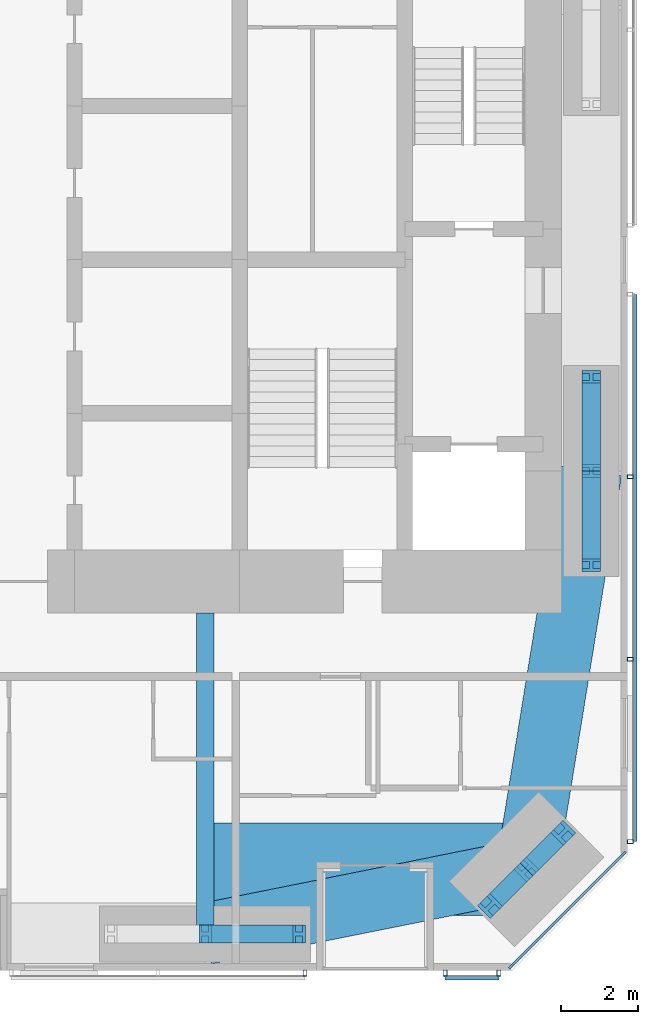
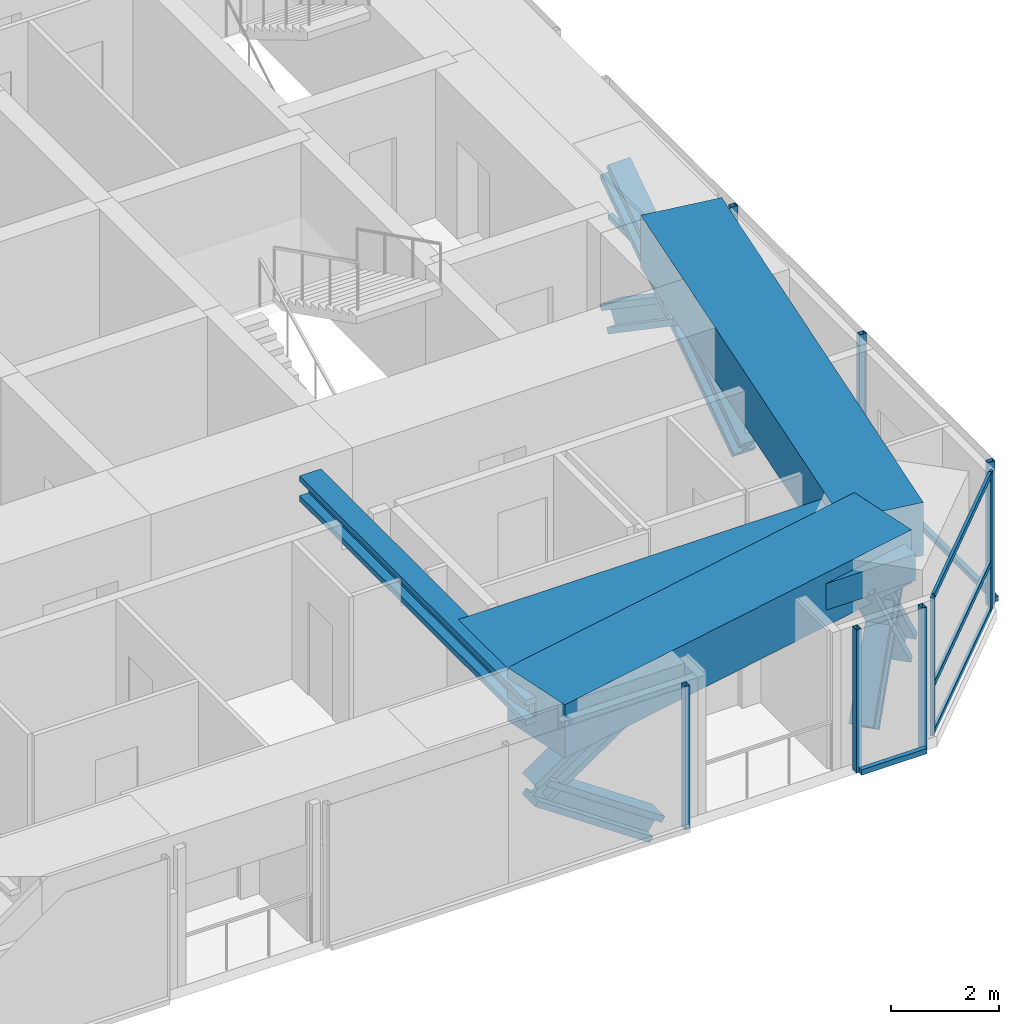
# One storey, part 9 of 24: 23 members, 4 beams, 4 elements without a shape of their own.
"""IFC4 building model written with IfcOpenShell, lengths in metres."""

from ifc_helpers import new_model, si_unit, direction, frame, origin, origin_2d, place, context, subcontext, project, spatial, rectangle, hollow_rectangle, i_section, extrude, material, material_profile, profile_set, type_object, element, aggregate, save


model = new_model("IFC4")

# Units and contexts
model_context = context("Model", 3, precision=1e-05, world=origin(), true_north=direction((0.0, 1.0)))
body_context = subcontext(model_context, "Body", "Model", "MODEL_VIEW")
ifc_project = project(units=[si_unit("LENGTHUNIT", "METRE"), si_unit("AREAUNIT", "SQUARE_METRE"), si_unit("VOLUMEUNIT", "CUBIC_METRE"), si_unit("PLANEANGLEUNIT", "RADIAN"), si_unit("MASSUNIT", "GRAM", prefix="KILO")], contexts=[model_context])

# Site, building, storey
site_placement = place(None, origin())
site = spatial("IfcSite", under=ifc_project, at=site_placement, CompositionType="ELEMENT")
building_placement = place(site_placement, origin())
building = spatial("IfcBuilding", under=site, at=building_placement, Name="Jalousie Tower", CompositionType="ELEMENT")
storey_placement = place(building_placement, frame((0.0, 0.0, 61.199951171875)))
storey = spatial("IfcBuildingStorey", under=building, at=storey_placement, Name="L16", CompositionType="ELEMENT", Elevation=61.199951171875)

# Curtain wall, members
ifc_material_1 = material(Name="Aluminium curtain wall", Category="aluminium")
curtain_wall_type_1 = type_object("IfcCurtainWallType", Name="CORNER WINDOW WALL", PredefinedType="USERDEFINED", material=ifc_material_1)
curtain_wall_1_placement = place(storey_placement, origin())
curtain_wall_1 = element("IfcCurtainWall", 1, at=curtain_wall_1_placement, inside=storey, type_object=curtain_wall_type_1, Name="Corner Window Wall L16 2", ObjectType="CORNER WINDOW WALL", PredefinedType="USERDEFINED")
ifc_material_2 = material(Name="Aluminium mullion", Category="aluminium")
ifc_material_profile_1 = material_profile(ifc_material_2, rectangle(XDim=0.06005859375, YDim=0.14990234375, at=origin_2d()), Name="MULLION 60x150")
ifc_profile_set_1 = profile_set([ifc_material_profile_1], Name="Aluminium mullion")
member_type_1 = type_object("IfcMemberType", Name="CORNER WINDOW WALL MULLION", PredefinedType="MULLION", material=ifc_profile_set_1)
member_1_placement = place(storey_placement, frame((42.969970703125, 0.108642578125, 0.0), z_axis=(0.0, 0.0, 1.0), x_axis=(-0.707106781187, 0.707106781187, 0.0)))
member_1 = element("IfcMember", 2, at=member_1_placement, type_object=member_type_1, Name="CW-C mullion 1", PredefinedType="MULLION", context=body_context, shape_type="SweptSolid", body=[
    extrude(rectangle(XDim=0.06005859375, YDim=0.14990234375, at=origin_2d()), origin(), (0.0, 0.0, 1.0), 3.110107421875),
])
member_2_placement = place(storey_placement, frame((45.891357421875, 3.030029296875, 0.0), z_axis=(0.0, 0.0, 1.0), x_axis=(-0.707106781187, 0.707106781187, 0.0)))
member_2 = element("IfcMember", 3, at=member_2_placement, type_object=member_type_1, Name="CW-C mullion 2", PredefinedType="MULLION", context=body_context, shape_type="SweptSolid", body=[
    extrude(rectangle(XDim=0.06005859375, YDim=0.14990234375, at=origin_2d()), origin(), (0.0, 0.0, 1.0), 3.110107421875),
])
ifc_material_3 = material(Name="Aluminium transom", Category="aluminium")
ifc_material_profile_2 = material_profile(ifc_material_3, rectangle(XDim=0.06005859375, YDim=0.1201171875, at=origin_2d()), Name="TRANSOM 60x120")
ifc_profile_set_2 = profile_set([ifc_material_profile_2], Name="Aluminium transom")
member_type_2 = type_object("IfcMemberType", Name="CORNER WINDOW WALL TRANSOM", PredefinedType="USERDEFINED", material=ifc_profile_set_2)
member_3_placement = place(storey_placement, frame((42.9912109375, 0.1298828125, 0.030029296875), z_axis=(0.707106781187, 0.707106781187, 0.0), x_axis=(-0.707106781187, 0.707106781187, 0.0)))
member_3 = element("IfcMember", 4, at=member_3_placement, type_object=member_type_2, Name="CW-C transom 1.1", ObjectType="TRANSOM", PredefinedType="USERDEFINED", context=body_context, shape_type="SweptSolid", body=[
    extrude(rectangle(XDim=0.06005859375, YDim=0.1201171875, at=origin_2d()), origin(), (0.0, 0.0, 1.0), 4.0712890625),
])
member_4_placement = place(storey_placement, frame((42.9912109375, 0.1298828125, 1.10009765625), z_axis=(0.707106781187, 0.707106781187, 0.0), x_axis=(-0.707106781187, 0.707106781187, 0.0)))
member_4 = element("IfcMember", 5, at=member_4_placement, type_object=member_type_2, Name="CW-C transom 1.2", ObjectType="TRANSOM", PredefinedType="USERDEFINED", context=body_context, shape_type="SweptSolid", body=[
    extrude(rectangle(XDim=0.06005859375, YDim=0.1201171875, at=origin_2d()), origin(), (0.0, 0.0, 1.0), 4.0712890625),
])
member_5_placement = place(storey_placement, frame((42.9912109375, 0.1298828125, 3.080078125), z_axis=(0.707106781187, 0.707106781187, 0.0), x_axis=(-0.707106781187, 0.707106781187, 0.0)))
member_5 = element("IfcMember", 6, at=member_5_placement, type_object=member_type_2, Name="CW-C transom 1.3", ObjectType="TRANSOM", PredefinedType="USERDEFINED", context=body_context, shape_type="SweptSolid", body=[
    extrude(rectangle(XDim=0.06005859375, YDim=0.1201171875, at=origin_2d()), origin(), (0.0, 0.0, 1.0), 4.0712890625),
])
aggregate(curtain_wall_1, [member_1, member_2, member_3, member_4, member_5])

# Beam
ifc_material_4 = material(Name="Steel ASTM A992 Grade 50", Category="steel")
ifc_material_profile_3 = material_profile(ifc_material_4, i_section(OverallWidth=0.45458984375, OverallDepth=0.569091796875, WebThickness=0.077880859375, FlangeThickness=0.124755859375, at=origin_2d()), Name="W14X730")
ifc_profile_set_3 = profile_set([ifc_material_profile_3], Name="Steel ASTM A992 Grade 50")
beam_type_1 = type_object("IfcBeamType", Name="LEAN COLLECTOR W14X730", PredefinedType="BEAM", material=ifc_profile_set_3)
beam_1_placement = place(storey_placement, frame((35.0, 0.949951171875, 2.825439453125), z_axis=(0.0, 1.0, 0.0), x_axis=(-1.0, 0.0, 0.0)))
element("IfcBeam", 7, at=beam_1_placement, inside=storey, type_object=beam_type_1, Name="Lean collector under L17", PredefinedType="BEAM", context=body_context, shape_type="SweptSolid", body=[
    extrude(i_section(OverallWidth=0.45458984375, OverallDepth=0.569091796875, WebThickness=0.077880859375, FlangeThickness=0.124755859375, at=origin_2d()), origin(), (0.0, 0.0, 1.0), 8.35009765625),
])

# Members
ifc_material_5 = material(Name="Steel ASTM A992 Grade 50", Category="steel")
ifc_material_profile_4 = material_profile(ifc_material_5, i_section(OverallWidth=0.472412109375, OverallDepth=0.5791015625, WebThickness=0.094970703125, FlangeThickness=0.1298828125, at=origin_2d()), Name="W14X808")
ifc_profile_set_4 = profile_set([ifc_material_profile_4], Name="Steel ASTM A992 Grade 50")
member_type_3 = type_object("IfcMemberType", Name="PERIMETER BRACE W14X808", PredefinedType="BRACE", material=ifc_profile_set_4)
for number, where, z_axis, x_axis, name in (
    (8, (35.0, 0.949951171875, 1.074951171875), (0.825500916831, 0.0, 0.564400776321), (0.0, 1.0, 0.0), "Perimeter brace 04 L16 part 2"),
    (9, (37.449951171875, 0.949951171875, -0.599853515625), (-0.825539243753, 0.0, 0.564344714713), (0.0, -1.0, 0.0), "Perimeter brace 04 L16 part 3"),
):
    element("IfcMember", number, at=place(storey_placement, frame(where, z_axis=z_axis, x_axis=x_axis)), inside=storey, type_object=member_type_3, Name=name, PredefinedType="BRACE", context=body_context, shape_type="SweptSolid", body=[
        extrude(i_section(OverallWidth=0.472412109375, OverallDepth=0.5791015625, WebThickness=0.094970703125, FlangeThickness=0.1298828125, at=origin_2d()), origin(), (0.0, 0.0, 1.0), 2.9677734375),
    ])
member_6_placement = place(storey_placement, frame((42.4140625, 1.6767578125, -0.599853515625), z_axis=(0.443757535686, 0.443757535686, 0.778561814529), x_axis=(-0.707106781187, 0.707106781187, 0.0)))
element("IfcMember", 10, at=member_6_placement, inside=storey, type_object=member_type_3, Name="Perimeter brace 05 L16 part 1", PredefinedType="BRACE", context=body_context, shape_type="SweptSolid", body=[
    extrude(i_section(OverallWidth=0.472412109375, OverallDepth=0.5791015625, WebThickness=0.094970703125, FlangeThickness=0.1298828125, at=origin_2d()), origin(), (0.0, 0.0, 1.0), 2.151123046875),
])
member_7_placement = place(storey_placement, frame((43.36865234375, 2.63134765625, 1.074951171875), z_axis=(0.443718327034, 0.443718327034, 0.778606506849), x_axis=(-0.707106781187, 0.707106781187, 0.0)))
element("IfcMember", 11, at=member_7_placement, inside=storey, type_object=member_type_3, Name="Perimeter brace 05 L16 part 2", PredefinedType="BRACE", context=body_context, shape_type="SweptSolid", body=[
    extrude(i_section(OverallWidth=0.472412109375, OverallDepth=0.5791015625, WebThickness=0.094970703125, FlangeThickness=0.1298828125, at=origin_2d()), origin(), (0.0, 0.0, 1.0), 2.1513671875),
])
member_8_placement = place(storey_placement, frame((44.3232421875, 3.5859375, -0.599853515625), z_axis=(-0.443757535686, -0.443757535686, 0.778561814529), x_axis=(0.707106781187, -0.707106781187, 0.0)))
element("IfcMember", 12, at=member_8_placement, inside=storey, type_object=member_type_3, Name="Perimeter brace 05 L16 part 3", PredefinedType="BRACE", context=body_context, shape_type="SweptSolid", body=[
    extrude(i_section(OverallWidth=0.472412109375, OverallDepth=0.5791015625, WebThickness=0.094970703125, FlangeThickness=0.1298828125, at=origin_2d()), origin(), (0.0, 0.0, 1.0), 2.151123046875),
])
member_9_placement = place(storey_placement, frame((43.36865234375, 2.63134765625, 1.074951171875), z_axis=(-0.443718327034, -0.443718327034, 0.778606506849), x_axis=(0.707106781187, -0.707106781187, 0.0)))
element("IfcMember", 13, at=member_9_placement, inside=storey, type_object=member_type_3, Name="Perimeter brace 05 L16 part 4", PredefinedType="BRACE", context=body_context, shape_type="SweptSolid", body=[
    extrude(i_section(OverallWidth=0.472412109375, OverallDepth=0.5791015625, WebThickness=0.094970703125, FlangeThickness=0.1298828125, at=origin_2d()), origin(), (0.0, 0.0, 1.0), 2.1513671875),
])
for number, where, z_axis, x_axis, name in (
    (14, (45.050048828125, 10.550048828125, -0.599853515625), (0.0, 0.825539243753, 0.564344714713), (-1.0, 0.0, 0.0), "Perimeter brace 06 L16 part 1"),
    (15, (45.050048828125, 13.0, 1.074951171875), (0.0, 0.825500916831, 0.564400776321), (-1.0, 0.0, 0.0), "Perimeter brace 06 L16 part 2"),
    (16, (45.050048828125, 15.449951171875, -0.599853515625), (0.0, -0.825539243753, 0.564344714713), (1.0, 0.0, 0.0), "Perimeter brace 06 L16 part 3"),
    (17, (45.050048828125, 13.0, 1.074951171875), (0.0, -0.825500916831, 0.564400776321), (1.0, 0.0, 0.0), "Perimeter brace 06 L16 part 4"),
):
    element("IfcMember", number, at=place(storey_placement, frame(where, z_axis=z_axis, x_axis=x_axis)), inside=storey, type_object=member_type_3, Name=name, PredefinedType="BRACE", context=body_context, shape_type="SweptSolid", body=[
        extrude(i_section(OverallWidth=0.472412109375, OverallDepth=0.5791015625, WebThickness=0.094970703125, FlangeThickness=0.1298828125, at=origin_2d()), origin(), (0.0, 0.0, 1.0), 2.9677734375),
    ])

# Beams
ifc_material_6 = material(Name="Concrete f'c 40 MPa", Category="concrete")
ifc_material_profile_5 = material_profile(ifc_material_6, rectangle(XDim=1.60009765625, YDim=1.199951171875, at=origin_2d()), Name="RC 1600x1200")
ifc_profile_set_5 = profile_set([ifc_material_profile_5], Name="Concrete f'c 40 MPa")
beam_type_2 = type_object("IfcBeamType", Name="RC BEAM 1600x1200", PredefinedType="BEAM", material=ifc_profile_set_5)
beam_2_placement = place(storey_placement, frame((35.0, 0.949951171875, 2.75), z_axis=(0.980407585444, 0.196979609107, 0.0), x_axis=(-0.196979609107, 0.980407585444, 0.0)))
element("IfcBeam", 18, at=beam_2_placement, inside=storey, type_object=beam_type_2, Name="Edge band beam 04-05 under L17", PredefinedType="BEAM", context=body_context, shape_type="SweptSolid", body=[
    extrude(rectangle(XDim=1.60009765625, YDim=1.199951171875, at=origin_2d()), origin(), (0.0, 0.0, 1.0), 8.535888671875),
])
beam_3_placement = place(storey_placement, frame((43.36865234375, 2.63134765625, 2.75), z_axis=(0.160070546476, 0.987105577003, 0.0), x_axis=(-0.987105577003, 0.160070546476, 0.0)))
element("IfcBeam", 19, at=beam_3_placement, inside=storey, type_object=beam_type_2, Name="Edge band beam 05-06 under L17", PredefinedType="BEAM", context=body_context, shape_type="SweptSolid", body=[
    extrude(rectangle(XDim=1.60009765625, YDim=1.199951171875, at=origin_2d()), origin(), (0.0, 0.0, 1.0), 10.504150390625),
])
ifc_material_7 = material(Name="Concrete f'c 40 MPa", Category="concrete")
ifc_material_profile_6 = material_profile(ifc_material_7, rectangle(XDim=2.39990234375, YDim=0.60009765625, at=origin_2d()), Name="RC 2400x600")
ifc_profile_set_6 = profile_set([ifc_material_profile_6], Name="Concrete f'c 40 MPa")
beam_type_3 = type_object("IfcBeamType", Name="RC BEAM 2400x600", PredefinedType="BEAM", material=ifc_profile_set_6)
beam_4_placement = place(storey_placement, frame((43.36865234375, 2.63134765625, 2.81005859375), z_axis=(-1.0, 0.0, 0.0), x_axis=(0.0, -1.0, 0.0)))
element("IfcBeam", 20, at=beam_4_placement, inside=storey, type_object=beam_type_3, Name="Floor band beam under L17", PredefinedType="BEAM", context=body_context, shape_type="SweptSolid", body=[
    extrude(rectangle(XDim=2.39990234375, YDim=0.60009765625, at=origin_2d()), origin(), (0.0, 0.0, 1.0), 8.36865234375),
])

# Curtain wall, member
ifc_material_8 = material(Name="Perforated aluminium sheet", Category="aluminium")
curtain_wall_type_2 = type_object("IfcCurtainWallType", Name="SOLAR SCREEN SS-1", PredefinedType="USERDEFINED", material=ifc_material_8)
curtain_wall_2_placement = place(storey_placement, origin())
curtain_wall_2 = element("IfcCurtainWall", 21, at=curtain_wall_2_placement, inside=storey, type_object=curtain_wall_type_2, Name="Solar screen L16", ObjectType="SOLAR SCREEN SS-1", PredefinedType="USERDEFINED")
ifc_material_9 = material(Name="Steel ASTM A500 Grade C", Category="steel")
ifc_material_profile_7 = material_profile(ifc_material_9, hollow_rectangle(XDim=0.1015625, YDim=0.15234375, WallThickness=0.00634765625, at=origin_2d()), Name="HSS6X4X1/4")
ifc_profile_set_7 = profile_set([ifc_material_profile_7], Name="Steel ASTM A500 Grade C")
member_type_4 = type_object("IfcMemberType", Name="SOLAR SCREEN SS-1 MULLION", PredefinedType="MULLION", material=ifc_profile_set_7)
member_10_placement = place(storey_placement, frame((37.60009765625, -0.0712890625, -0.119873046875), z_axis=(0.0, 0.0, 1.0), x_axis=(1.0, 0.0, 0.0)))
member_10 = element("IfcMember", 22, at=member_10_placement, type_object=member_type_4, Name="SS1 post 3", PredefinedType="MULLION", context=body_context, shape_type="SweptSolid", body=[
    extrude(hollow_rectangle(XDim=0.1015625, YDim=0.15234375, WallThickness=0.00634765625, at=origin_2d()), origin(), (0.0, 0.0, 1.0), 3.22998046875),
])
aggregate(curtain_wall_2, [member_10])

# Curtain wall, members
curtain_wall_3_placement = place(storey_placement, origin())
curtain_wall_3 = element("IfcCurtainWall", 23, at=curtain_wall_3_placement, inside=storey, type_object=curtain_wall_type_2, Name="Solar screen L16", ObjectType="SOLAR SCREEN SS-1", PredefinedType="USERDEFINED")
member_11_placement = place(storey_placement, frame((41.25, -0.0712890625, -0.119873046875), z_axis=(0.0, 0.0, 1.0), x_axis=(1.0, 0.0, 0.0)))
member_11 = element("IfcMember", 24, at=member_11_placement, type_object=member_type_4, Name="SS1 post 1", PredefinedType="MULLION", context=body_context, shape_type="SweptSolid", body=[
    extrude(hollow_rectangle(XDim=0.1015625, YDim=0.15234375, WallThickness=0.00634765625, at=origin_2d()), origin(), (0.0, 0.0, 1.0), 3.22998046875),
])
member_12_placement = place(storey_placement, frame((42.648681640625, -0.0712890625, -0.119873046875), z_axis=(0.0, 0.0, 1.0), x_axis=(1.0, 0.0, 0.0)))
member_12 = element("IfcMember", 25, at=member_12_placement, type_object=member_type_4, Name="SS1 post 2", PredefinedType="MULLION", context=body_context, shape_type="SweptSolid", body=[
    extrude(hollow_rectangle(XDim=0.1015625, YDim=0.15234375, WallThickness=0.00634765625, at=origin_2d()), origin(), (0.0, 0.0, 1.0), 3.22998046875),
])

curtain_wall_4_placement = place(storey_placement, origin())
curtain_wall_4 = element("IfcCurtainWall", 26, at=curtain_wall_4_placement, inside=storey, type_object=curtain_wall_type_2, Name="Solar screen L16", ObjectType="SOLAR SCREEN SS-1", PredefinedType="USERDEFINED")
member_13_placement = place(storey_placement, frame((46.0712890625, 3.351318359375, -0.119873046875), z_axis=(0.0, 0.0, 1.0), x_axis=(0.0, 1.0, 0.0)))
member_13 = element("IfcMember", 27, at=member_13_placement, type_object=member_type_4, Name="SS1 post 1", PredefinedType="MULLION", context=body_context, shape_type="SweptSolid", body=[
    extrude(hollow_rectangle(XDim=0.1015625, YDim=0.15234375, WallThickness=0.00634765625, at=origin_2d()), origin(), (0.0, 0.0, 1.0), 3.22998046875),
])
member_14_placement = place(storey_placement, frame((46.0712890625, 8.100830078125, -0.119873046875), z_axis=(0.0, 0.0, 1.0), x_axis=(0.0, 1.0, 0.0)))
member_14 = element("IfcMember", 28, at=member_14_placement, type_object=member_type_4, Name="SS1 post 2", PredefinedType="MULLION", context=body_context, shape_type="SweptSolid", body=[
    extrude(hollow_rectangle(XDim=0.1015625, YDim=0.15234375, WallThickness=0.00634765625, at=origin_2d()), origin(), (0.0, 0.0, 1.0), 3.22998046875),
])
member_15_placement = place(storey_placement, frame((46.0712890625, 12.850341796875, -0.119873046875), z_axis=(0.0, 0.0, 1.0), x_axis=(0.0, 1.0, 0.0)))
member_15 = element("IfcMember", 29, at=member_15_placement, type_object=member_type_4, Name="SS1 post 3", PredefinedType="MULLION", context=body_context, shape_type="SweptSolid", body=[
    extrude(hollow_rectangle(XDim=0.1015625, YDim=0.15234375, WallThickness=0.00634765625, at=origin_2d()), origin(), (0.0, 0.0, 1.0), 3.22998046875),
])

# Member
ifc_material_10 = material(Name="Extruded aluminium screen rail", Category="aluminium")
ifc_material_profile_8 = material_profile(ifc_material_10, rectangle(XDim=0.1015625, YDim=0.1201171875, at=origin_2d()), Name="RAIL 102x120")
ifc_profile_set_8 = profile_set([ifc_material_profile_8], Name="Extruded aluminium screen rail")
member_type_5 = type_object("IfcMemberType", Name="SOLAR SCREEN SS-1 TRANSOM", PredefinedType="USERDEFINED", material=ifc_profile_set_8)
member_16_placement = place(storey_placement, frame((41.25, -0.1982421875, -0.06005859375), z_axis=(1.0, 0.0, 0.0), x_axis=(0.0, 1.0, 0.0)))
member_16 = element("IfcMember", 30, at=member_16_placement, type_object=member_type_5, Name="SS1 rail", ObjectType="TRANSOM", PredefinedType="USERDEFINED", context=body_context, shape_type="SweptSolid", body=[
    extrude(rectangle(XDim=0.1015625, YDim=0.1201171875, at=origin_2d()), origin(), (0.0, 0.0, 1.0), 1.398681640625),
])

aggregate(curtain_wall_3, [member_11, member_12, member_16])

member_17_placement = place(storey_placement, frame((46.1982421875, 3.351318359375, -0.06005859375), z_axis=(0.0, 1.0, 0.0), x_axis=(-1.0, 0.0, 0.0)))
member_17 = element("IfcMember", 31, at=member_17_placement, type_object=member_type_5, Name="SS1 rail", ObjectType="TRANSOM", PredefinedType="USERDEFINED", context=body_context, shape_type="SweptSolid", body=[
    extrude(rectangle(XDim=0.1015625, YDim=0.1201171875, at=origin_2d()), origin(), (0.0, 0.0, 1.0), 14.248779296875),
])

aggregate(curtain_wall_4, [member_13, member_14, member_15, member_17])

save(model, "model.ifc")
